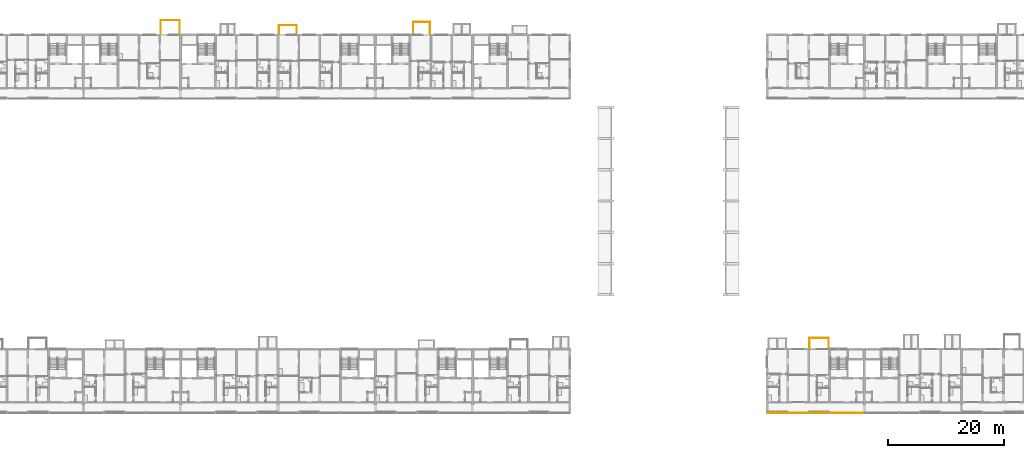
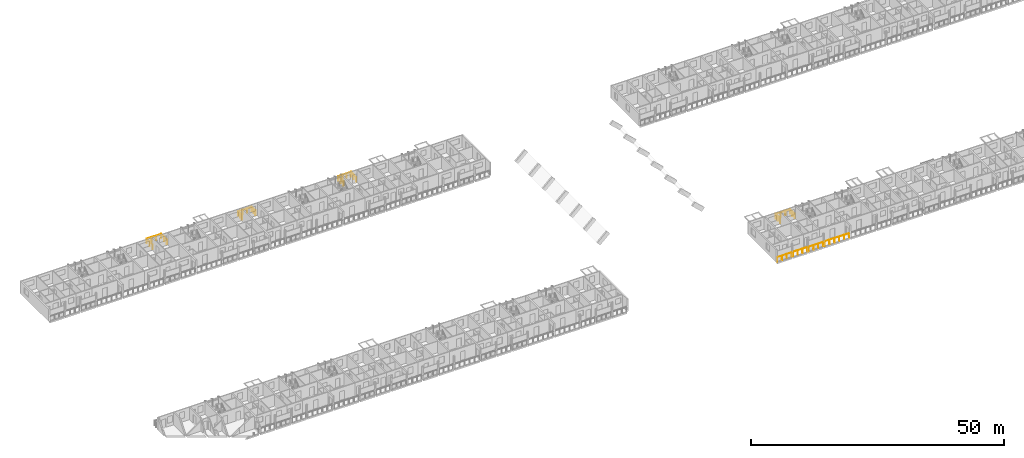
# One storey, part 86 of 98: 8 railings.
"""IFC4 building model written with IfcOpenShell, lengths in metres."""

from ifc_helpers import new_model, si_unit, direction, frame, origin, origin_2d, place, context, subcontext, project, spatial, circle, extrude, material, type_object, element, save


model = new_model("IFC4")

# Units and contexts
model_context = context("Model", 3, precision=1e-05, world=origin(), true_north=direction((0.0, 1.0)))
body_context = subcontext(model_context, "Body", "Model", "MODEL_VIEW")
ifc_project = project(units=[si_unit("LENGTHUNIT", "METRE"), si_unit("AREAUNIT", "SQUARE_METRE"), si_unit("VOLUMEUNIT", "CUBIC_METRE"), si_unit("PLANEANGLEUNIT", "RADIAN"), si_unit("MASSUNIT", "GRAM", prefix="KILO")], contexts=[model_context])

# Site, building, storey
site_placement = place(None, origin())
site = spatial("IfcSite", under=ifc_project, at=site_placement, CompositionType="ELEMENT")
building_placement = place(site_placement, origin())
building = spatial("IfcBuilding", under=site, at=building_placement, Name="Ridgestep Commons", CompositionType="ELEMENT")
storey_placement = place(building_placement, frame((0.0, 0.0, 12.0)))
storey = spatial("IfcBuildingStorey", under=building, at=storey_placement, Name="L04", CompositionType="ELEMENT", Elevation=12.0)

# Railings
ifc_material_1 = material(Name="Structural steel S355JR", Category="steel")
railing_type_1 = type_object("IfcRailingType", Name="Guard 1100", PredefinedType="GUARDRAIL", material=ifc_material_1)
railing_1_placement = place(storey_placement, frame((146.970947265625, 11.800048828125, 0.0)))
element("IfcRailing", 1, at=railing_1_placement, inside=storey, type_object=railing_type_1, Name="Gallery guard D 04.1", PredefinedType="GUARDRAIL", context=body_context, shape_type="SweptSolid", body=[
    extrude(circle(Radius=0.02392578125, at=origin_2d()), frame((0.0, 0.0, 1.076171875), z_axis=(1.0, 0.0, 0.0), x_axis=(0.0, 1.0, 0.0)), (0.0, 0.0, 1.0), 3.282958984375),
    extrude(circle(Radius=0.02099609375, at=origin_2d()), origin(), (0.0, 0.0, 1.0), 1.052001953125),
    extrude(circle(Radius=0.02099609375, at=origin_2d()), frame((1.09423828125, 0.0, 0.0)), (0.0, 0.0, 1.0), 1.052001953125),
    extrude(circle(Radius=0.02099609375, at=origin_2d()), frame((2.188720703125, 0.0, 0.0)), (0.0, 0.0, 1.0), 1.052001953125),
    extrude(circle(Radius=0.02099609375, at=origin_2d()), frame((3.282958984375, 0.0, 0.0)), (0.0, 0.0, 1.0), 1.052001953125),
])
for number, where, name in (
    (2, (150.5458984375, 11.800048828125, 0.0), "Gallery guard D 04.2"),
    (3, (154.14599609375, 11.800048828125, 0.0), "Gallery guard D 04.3"),
):
    element("IfcRailing", number, at=place(storey_placement, frame(where)), inside=storey, type_object=railing_type_1, Name=name, PredefinedType="GUARDRAIL", context=body_context, shape_type="SweptSolid", body=[
        extrude(circle(Radius=0.02392578125, at=origin_2d()), frame((0.0, 0.0, 1.076171875), z_axis=(1.0, 0.0, 0.0), x_axis=(0.0, 1.0, 0.0)), (0.0, 0.0, 1.0), 3.30810546875),
        extrude(circle(Radius=0.02099609375, at=origin_2d()), origin(), (0.0, 0.0, 1.0), 1.052001953125),
        extrude(circle(Radius=0.02099609375, at=origin_2d()), frame((1.102783203125, 0.0, 0.0)), (0.0, 0.0, 1.0), 1.052001953125),
        extrude(circle(Radius=0.02099609375, at=origin_2d()), frame((2.205322265625, 0.0, 0.0)), (0.0, 0.0, 1.0), 1.052001953125),
        extrude(circle(Radius=0.02099609375, at=origin_2d()), frame((3.30810546875, 0.0, 0.0)), (0.0, 0.0, 1.0), 1.052001953125),
    ])
railing_2_placement = place(storey_placement, frame((157.74609375, 11.800048828125, 0.0)))
element("IfcRailing", 4, at=railing_2_placement, inside=storey, type_object=railing_type_1, Name="Gallery guard D 04.4", PredefinedType="GUARDRAIL", context=body_context, shape_type="SweptSolid", body=[
    extrude(circle(Radius=0.02392578125, at=origin_2d()), frame((0.0, 0.0, 1.076171875), z_axis=(1.0, 0.0, 0.0), x_axis=(0.0, 1.0, 0.0)), (0.0, 0.0, 1.0), 5.682861328125),
    extrude(circle(Radius=0.02099609375, at=origin_2d()), origin(), (0.0, 0.0, 1.0), 1.052001953125),
    extrude(circle(Radius=0.02099609375, at=origin_2d()), frame((1.136474609375, 0.0, 0.0)), (0.0, 0.0, 1.0), 1.052001953125),
    extrude(circle(Radius=0.02099609375, at=origin_2d()), frame((2.273193359375, 0.0, 0.0)), (0.0, 0.0, 1.0), 1.052001953125),
    extrude(circle(Radius=0.02099609375, at=origin_2d()), frame((3.40966796875, 0.0, 0.0)), (0.0, 0.0, 1.0), 1.052001953125),
    extrude(circle(Radius=0.02099609375, at=origin_2d()), frame((4.54638671875, 0.0, 0.0)), (0.0, 0.0, 1.0), 1.052001953125),
    extrude(circle(Radius=0.02099609375, at=origin_2d()), frame((5.682861328125, 0.0, 0.0)), (0.0, 0.0, 1.0), 1.052001953125),
])
ifc_material_2 = material(Name="Weathering steel S355J2W", Category="steel")
railing_type_2 = type_object("IfcRailingType", Name="Tray guard 1100", PredefinedType="GUARDRAIL", material=ifc_material_2)
railing_3_placement = place(storey_placement, frame((154.15087890625, 23.02099609375, 0.0)))
element("IfcRailing", 5, at=railing_3_placement, inside=storey, type_object=railing_type_2, Name="Tray guard D1T3-04", PredefinedType="GUARDRAIL", context=body_context, shape_type="SweptSolid", body=[
    extrude(circle(Radius=0.02392578125, at=origin_2d()), frame((0.0, 0.0, 1.076171875), z_axis=(0.0, 1.0, 0.0), x_axis=(-1.0, 0.0, 0.0)), (0.0, 0.0, 1.0), 1.758056640625),
    extrude(circle(Radius=0.02392578125, at=origin_2d()), frame((0.0, 1.758056640625, 1.076171875), z_axis=(1.0, 0.0, 0.0), x_axis=(0.0, 1.0, 0.0)), (0.0, 0.0, 1.0), 3.298095703125),
    extrude(circle(Radius=0.02392578125, at=origin_2d()), frame((3.298095703125, 1.758056640625, 1.076171875), z_axis=(0.0, -1.0, 0.0), x_axis=(1.0, 0.0, 0.0)), (0.0, 0.0, 1.0), 1.758056640625),
    extrude(circle(Radius=0.02099609375, at=origin_2d()), origin(), (0.0, 0.0, 1.0), 1.052001953125),
    extrude(circle(Radius=0.02099609375, at=origin_2d()), frame((0.0, 0.87890625, 0.0)), (0.0, 0.0, 1.0), 1.052001953125),
    extrude(circle(Radius=0.02099609375, at=origin_2d()), frame((0.0, 1.758056640625, 0.0)), (0.0, 0.0, 1.0), 1.052001953125),
    extrude(circle(Radius=0.02099609375, at=origin_2d()), frame((1.099365234375, 1.758056640625, 0.0)), (0.0, 0.0, 1.0), 1.052001953125),
    extrude(circle(Radius=0.02099609375, at=origin_2d()), frame((2.19873046875, 1.758056640625, 0.0)), (0.0, 0.0, 1.0), 1.052001953125),
    extrude(circle(Radius=0.02099609375, at=origin_2d()), frame((3.298095703125, 1.758056640625, 0.0)), (0.0, 0.0, 1.0), 1.052001953125),
    extrude(circle(Radius=0.02099609375, at=origin_2d()), frame((3.298095703125, 0.87890625, 0.0)), (0.0, 0.0, 1.0), 1.052001953125),
    extrude(circle(Radius=0.02099609375, at=origin_2d()), frame((3.298095703125, 0.0, 0.0)), (0.0, 0.0, 1.0), 1.052001953125),
])
railing_4_placement = place(storey_placement, frame((62.551025390625, 77.27099609375, 0.0)))
element("IfcRailing", 6, at=railing_4_placement, inside=storey, type_object=railing_type_2, Name="Tray guard B4T1-04", PredefinedType="GUARDRAIL", context=body_context, shape_type="SweptSolid", body=[
    extrude(circle(Radius=0.02392578125, at=origin_2d()), frame((0.0, 0.0, 1.076171875), z_axis=(0.0, 1.0, 0.0), x_axis=(-1.0, 0.0, 0.0)), (0.0, 0.0, 1.0), 1.4580078125),
    extrude(circle(Radius=0.02392578125, at=origin_2d()), frame((0.0, 1.4580078125, 1.076171875), z_axis=(1.0, 0.0, 0.0), x_axis=(0.0, 1.0, 0.0)), (0.0, 0.0, 1.0), 3.097900390625),
    extrude(circle(Radius=0.02392578125, at=origin_2d()), frame((3.097900390625, 1.4580078125, 1.076171875), z_axis=(0.0, -1.0, 0.0), x_axis=(1.0, 0.0, 0.0)), (0.0, 0.0, 1.0), 1.4580078125),
    extrude(circle(Radius=0.02099609375, at=origin_2d()), origin(), (0.0, 0.0, 1.0), 1.052001953125),
    extrude(circle(Radius=0.02099609375, at=origin_2d()), frame((0.0, 0.72900390625, 0.0)), (0.0, 0.0, 1.0), 1.052001953125),
    extrude(circle(Radius=0.02099609375, at=origin_2d()), frame((0.0, 1.4580078125, 0.0)), (0.0, 0.0, 1.0), 1.052001953125),
    extrude(circle(Radius=0.02099609375, at=origin_2d()), frame((1.03271484375, 1.4580078125, 0.0)), (0.0, 0.0, 1.0), 1.052001953125),
    extrude(circle(Radius=0.02099609375, at=origin_2d()), frame((2.065185546875, 1.4580078125, 0.0)), (0.0, 0.0, 1.0), 1.052001953125),
    extrude(circle(Radius=0.02099609375, at=origin_2d()), frame((3.097900390625, 1.4580078125, 0.0)), (0.0, 0.0, 1.0), 1.052001953125),
    extrude(circle(Radius=0.02099609375, at=origin_2d()), frame((3.097900390625, 0.72900390625, 0.0)), (0.0, 0.0, 1.0), 1.052001953125),
    extrude(circle(Radius=0.02099609375, at=origin_2d()), frame((3.097900390625, 0.0, 0.0)), (0.0, 0.0, 1.0), 1.052001953125),
])
railing_5_placement = place(storey_placement, frame((42.15087890625, 77.27099609375, 0.0)))
element("IfcRailing", 7, at=railing_5_placement, inside=storey, type_object=railing_type_2, Name="Tray guard B2T1-04", PredefinedType="GUARDRAIL", context=body_context, shape_type="SweptSolid", body=[
    extrude(circle(Radius=0.02392578125, at=origin_2d()), frame((0.0, 0.0, 1.076171875), z_axis=(0.0, 1.0, 0.0), x_axis=(-1.0, 0.0, 0.0)), (0.0, 0.0, 1.0), 2.35791015625),
    extrude(circle(Radius=0.02392578125, at=origin_2d()), frame((0.0, 2.35791015625, 1.076171875), z_axis=(1.0, 0.0, 0.0), x_axis=(0.0, 1.0, 0.0)), (0.0, 0.0, 1.0), 3.298095703125),
    extrude(circle(Radius=0.02392578125, at=origin_2d()), frame((3.298095703125, 2.35791015625, 1.076171875), z_axis=(0.0, -1.0, 0.0), x_axis=(1.0, 0.0, 0.0)), (0.0, 0.0, 1.0), 2.35791015625),
    extrude(circle(Radius=0.02099609375, at=origin_2d()), origin(), (0.0, 0.0, 1.0), 1.052001953125),
    extrude(circle(Radius=0.02099609375, at=origin_2d()), frame((0.0, 1.178955078125, 0.0)), (0.0, 0.0, 1.0), 1.052001953125),
    extrude(circle(Radius=0.02099609375, at=origin_2d()), frame((0.0, 2.35791015625, 0.0)), (0.0, 0.0, 1.0), 1.052001953125),
    extrude(circle(Radius=0.02099609375, at=origin_2d()), frame((1.099365234375, 2.35791015625, 0.0)), (0.0, 0.0, 1.0), 1.052001953125),
    extrude(circle(Radius=0.02099609375, at=origin_2d()), frame((2.19873046875, 2.35791015625, 0.0)), (0.0, 0.0, 1.0), 1.052001953125),
    extrude(circle(Radius=0.02099609375, at=origin_2d()), frame((3.298095703125, 2.35791015625, 0.0)), (0.0, 0.0, 1.0), 1.052001953125),
    extrude(circle(Radius=0.02099609375, at=origin_2d()), frame((3.298095703125, 1.178955078125, 0.0)), (0.0, 0.0, 1.0), 1.052001953125),
    extrude(circle(Radius=0.02099609375, at=origin_2d()), frame((3.298095703125, 0.0, 0.0)), (0.0, 0.0, 1.0), 1.052001953125),
])
railing_6_placement = place(storey_placement, frame((85.7509765625, 77.27099609375, 0.0)))
element("IfcRailing", 8, at=railing_6_placement, inside=storey, type_object=railing_type_2, Name="Tray guard B5T3-04", PredefinedType="GUARDRAIL", context=body_context, shape_type="SweptSolid", body=[
    extrude(circle(Radius=0.02392578125, at=origin_2d()), frame((0.0, 0.0, 1.076171875), z_axis=(0.0, 1.0, 0.0), x_axis=(-1.0, 0.0, 0.0)), (0.0, 0.0, 1.0), 2.05810546875),
    extrude(circle(Radius=0.02392578125, at=origin_2d()), frame((0.0, 2.05810546875, 1.076171875), z_axis=(1.0, 0.0, 0.0), x_axis=(0.0, 1.0, 0.0)), (0.0, 0.0, 1.0), 2.89794921875),
    extrude(circle(Radius=0.02392578125, at=origin_2d()), frame((2.89794921875, 2.05810546875, 1.076171875), z_axis=(0.0, -1.0, 0.0), x_axis=(1.0, 0.0, 0.0)), (0.0, 0.0, 1.0), 2.05810546875),
    extrude(circle(Radius=0.02099609375, at=origin_2d()), origin(), (0.0, 0.0, 1.0), 1.052001953125),
    extrude(circle(Radius=0.02099609375, at=origin_2d()), frame((0.0, 1.029052734375, 0.0)), (0.0, 0.0, 1.0), 1.052001953125),
    extrude(circle(Radius=0.02099609375, at=origin_2d()), frame((0.0, 2.05810546875, 0.0)), (0.0, 0.0, 1.0), 1.052001953125),
    extrude(circle(Radius=0.02099609375, at=origin_2d()), frame((0.966064453125, 2.05810546875, 0.0)), (0.0, 0.0, 1.0), 1.052001953125),
    extrude(circle(Radius=0.02099609375, at=origin_2d()), frame((1.931884765625, 2.05810546875, 0.0)), (0.0, 0.0, 1.0), 1.052001953125),
    extrude(circle(Radius=0.02099609375, at=origin_2d()), frame((2.89794921875, 2.05810546875, 0.0)), (0.0, 0.0, 1.0), 1.052001953125),
    extrude(circle(Radius=0.02099609375, at=origin_2d()), frame((2.89794921875, 1.029052734375, 0.0)), (0.0, 0.0, 1.0), 1.052001953125),
    extrude(circle(Radius=0.02099609375, at=origin_2d()), frame((2.89794921875, 0.0, 0.0)), (0.0, 0.0, 1.0), 1.052001953125),
])

save(model, "model.ifc")
